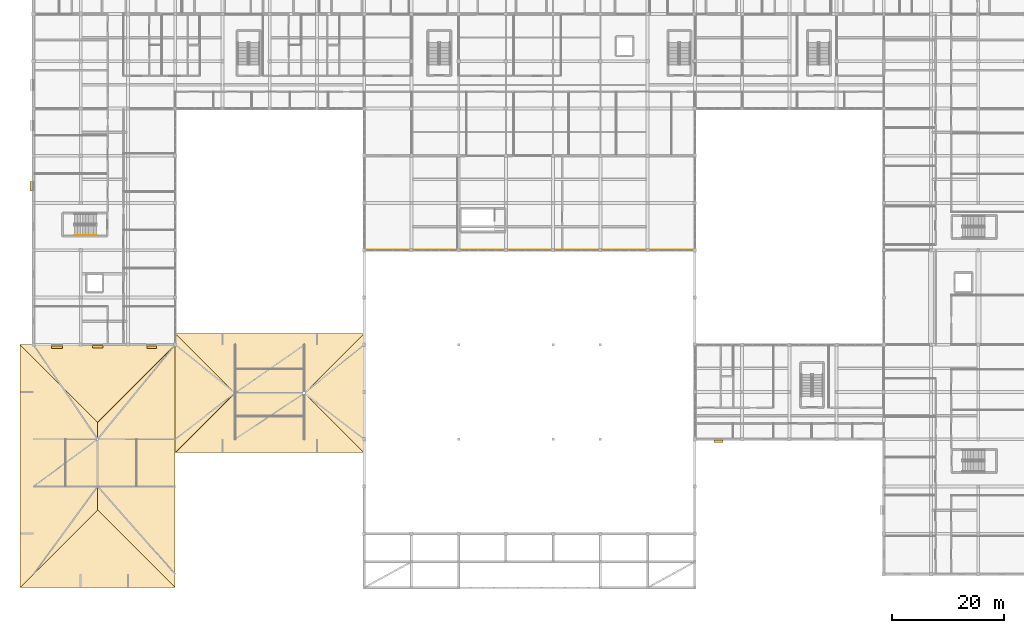
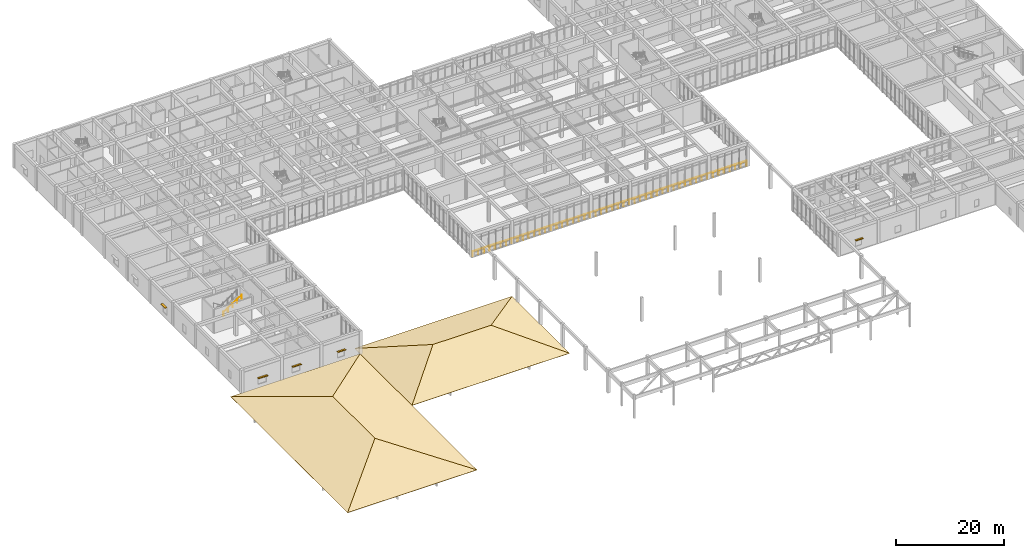
# One storey, part 74 of 89: 8 coverings, 5 shading devices, 2 railings, 2 elements without a shape of their own.
"""IFC4 building model written with IfcOpenShell, lengths in metres."""

import ifcopenshell
import ifcopenshell.guid

model = None  # the IFC model being written
_history = None  # IfcOwnerHistory: only IFC2X3 demands one
_inside = {}  # id of a spatial element -> (the spatial element, [elements in it])
_under = {}  # id of a project, library or spatial element -> (it, [spatial elements below it])
_declared = {}  # id of a project -> (the project, [libraries it declares])
_typed = {}  # id of a type object -> (the type object, [elements of that type])
_made_of = {}  # id of a material, layer set ... -> (it, [elements and type objects made of it])


def new_model(schema):
    """Start an empty IFC model of exactly this schema.

    Asked for "IFC4X3", IfcOpenShell would pick the latest addendum, in which some entities
    have other attributes; the version numbers below select the first issue.
    IFC2X3 requires an IfcOwnerHistory on every rooted entity: one is made here for all.
    """
    global model, _history
    if schema == "IFC4X3":
        model = ifcopenshell.file(schema_version=(4, 3, 0, 0))
    else:
        model = ifcopenshell.file(schema=schema)
    _inside.clear()
    _under.clear()
    _declared.clear()
    _typed.clear()
    _made_of.clear()
    _history = None
    if model.schema == "IFC2X3":
        org = make("IfcOrganization", Name="unknown")
        user = make(
            "IfcPersonAndOrganization",
            ThePerson=make("IfcPerson", FamilyName="unknown"),
            TheOrganization=org,
        )
        app = make(
            "IfcApplication",
            ApplicationDeveloper=org,
            Version="unknown",
            ApplicationFullName="unknown",
            ApplicationIdentifier="unknown",
        )
        _history = make(
            "IfcOwnerHistory",
            OwningUser=user,
            OwningApplication=app,
            ChangeAction="ADDED",
            CreationDate=0,
        )
    return model


def make(cls, **values):
    """One entity of the class cls with the attributes given. An attribute that is None is left unset."""
    return model.create_entity(
        cls, **{name: value for name, value in values.items() if value is not None}
    )


def rooted(cls, **values):
    """An entity with a GlobalId (a new one), such as an element, a storey or a relation."""
    return make(cls, GlobalId=ifcopenshell.guid.new(), OwnerHistory=_history, **values)


def si_unit(unit_type, name, prefix=None):
    """IfcSIUnit, for example si_unit("LENGTHUNIT", "METRE", prefix="MILLI")."""
    return make("IfcSIUnit", UnitType=unit_type, Prefix=prefix, Name=name)


def assignment(units):
    """IfcUnitAssignment: the units of a project."""
    return None if units is None else make("IfcUnitAssignment", Units=units)


def point(xyz):
    """IfcCartesianPoint."""
    return None if xyz is None else make("IfcCartesianPoint", Coordinates=xyz)


def direction(xyz):
    """IfcDirection."""
    return None if xyz is None else make("IfcDirection", DirectionRatios=xyz)


def frame(location, z_axis=None, x_axis=None):
    """IfcAxis2Placement3D, a coordinate frame: its origin and axes. An axis left out is left unset."""
    return make(
        "IfcAxis2Placement3D",
        Location=point(location),
        Axis=direction(z_axis),
        RefDirection=direction(x_axis),
    )


def frame_2d(location, x_axis=None):
    """IfcAxis2Placement2D, a coordinate frame in the plane: its origin and x axis."""
    return make(
        "IfcAxis2Placement2D", Location=point(location), RefDirection=direction(x_axis)
    )


def origin():
    """The frame at (0, 0, 0) with its axes left unset."""
    return frame((0.0, 0.0, 0.0))


def origin_2d():
    """The frame at (0, 0) in the plane with its x axis left unset."""
    return frame_2d((0.0, 0.0))


def place(relative_to, where):
    """IfcLocalPlacement: puts the frame where relative to a parent placement (None: the world)."""
    return make(
        "IfcLocalPlacement", PlacementRelTo=relative_to, RelativePlacement=where
    )


def context(
    kind, dimensions, precision=None, world=None, true_north=None, identifier=None
):
    """IfcGeometricRepresentationContext, for example the 3D "Model" context."""
    return make(
        "IfcGeometricRepresentationContext",
        ContextIdentifier=identifier,
        ContextType=kind,
        CoordinateSpaceDimension=dimensions,
        Precision=precision,
        WorldCoordinateSystem=world,
        TrueNorth=true_north,
    )


def subcontext(parent, identifier, kind, view, scale=None):
    """IfcGeometricRepresentationSubContext, for example "Body" below "Model"."""
    return make(
        "IfcGeometricRepresentationSubContext",
        ContextIdentifier=identifier,
        ContextType=kind,
        ParentContext=parent,
        TargetScale=scale,
        TargetView=view,
    )


def project(units=None, contexts=None):
    """IfcProject with its units and contexts."""
    return rooted(
        "IfcProject",
        Name="project",
        RepresentationContexts=contexts,
        UnitsInContext=assignment(units),
    )


def spatial(cls, under=None, at=None, **own):
    """A site, building, storey or space (cls), placed at a placement, below another one or the project."""
    s = rooted(cls, ObjectPlacement=at, **own)
    if under is not None:
        _under.setdefault(under.id(), (under, []))[1].append(s)
    return s


def polyline(points):
    """IfcPolyline through the points."""
    return make("IfcPolyline", Points=[point(p) for p in points])


def profile(cls, at=None, kind="AREA", **sizes):
    """A parametric profile (cls). Its sizes go by their IFC names, for example OverallWidth=200.0."""
    return make(cls, ProfileType=kind, Position=at, **sizes)


def rectangle(**sizes):
    """IfcRectangleProfileDef."""
    return profile("IfcRectangleProfileDef", **sizes)


def circle(**sizes):
    """IfcCircleProfileDef."""
    return profile("IfcCircleProfileDef", **sizes)


def outline(outer, holes=None, kind="AREA"):
    """IfcArbitraryClosedProfileDef: a profile drawn as a closed curve; with holes, ...WithVoids."""
    if holes is None:
        return make("IfcArbitraryClosedProfileDef", ProfileType=kind, OuterCurve=outer)
    return make(
        "IfcArbitraryProfileDefWithVoids",
        ProfileType=kind,
        OuterCurve=outer,
        InnerCurves=holes,
    )


def extrude(swept, where, along, depth):
    """IfcExtrudedAreaSolid: the profile swept, set in the frame where, extruded along a direction by depth."""
    return make(
        "IfcExtrudedAreaSolid",
        SweptArea=swept,
        Position=where,
        ExtrudedDirection=direction(along),
        Depth=depth,
    )


def shape(context_of_items, identifier, shape_type, items):
    """IfcShapeRepresentation: the items that make up one representation, for example the "Body"."""
    return make(
        "IfcShapeRepresentation",
        ContextOfItems=context_of_items,
        RepresentationIdentifier=identifier,
        RepresentationType=shape_type,
        Items=items,
    )


def material(Name=None, Category=None):
    """IfcMaterial."""
    return make("IfcMaterial", Name=Name, Category=Category)


def layer(
    of_material, thickness, ventilated=None, Name=None, Category=None, Priority=None
):
    """IfcMaterialLayer: one layer of a wall or slab, of a material (None: an air gap)."""
    return make(
        "IfcMaterialLayer",
        Material=of_material,
        LayerThickness=thickness,
        IsVentilated=ventilated,
        Name=Name,
        Category=Category,
        Priority=Priority,
    )


def layer_set(layers, Name=None):
    """IfcMaterialLayerSet."""
    return make("IfcMaterialLayerSet", MaterialLayers=layers, LayerSetName=Name)


def made_of(thing, what):
    """Note that an element or type object is made of a material, layer set ...; save() writes the relation."""
    if what is not None:
        _made_of.setdefault(what.id(), (what, []))[1].append(thing)
    return thing


def type_object(cls, material=None, **own):
    """A type object (cls), such as IfcWallType, which elements share."""
    return made_of(rooted(cls, **own), material)


def element(
    cls,
    number,
    at=None,
    inside=None,
    cuts=None,
    type_object=None,
    material=None,
    context=None,
    identifier="Body",
    shape_type=None,
    held_by="IfcProductDefinitionShape",
    body=None,
    shapes=None,
    **own,
):
    """One element of the class cls, such as IfcWall. Its Tag is "e" and its number.

    at: its placement. inside: the storey or other place that contains it. cuts: it is an
    opening in that element (IfcRelVoidsElement). A single representation is given by context,
    identifier, shape_type and body (its items); several are given by shapes. held_by: the class
    of the entity that holds the representations. save() writes the other relations.
    """
    e = rooted(cls, Tag="e%d" % number, ObjectPlacement=at, **own)
    if body is not None:
        shapes = [shape(context, identifier, shape_type, body)]
    if shapes is not None:
        e.Representation = make(held_by, Representations=shapes)
    if inside is not None:
        _inside.setdefault(inside.id(), (inside, []))[1].append(e)
    if cuts is not None:
        rooted(
            "IfcRelVoidsElement", RelatingBuildingElement=cuts, RelatedOpeningElement=e
        )
    if type_object is not None:
        _typed.setdefault(type_object.id(), (type_object, []))[1].append(e)
    return made_of(e, material)


def aggregate(whole, parts):
    """IfcRelAggregates: a whole, such as a stair, and the parts it consists of."""
    return rooted("IfcRelAggregates", RelatingObject=whole, RelatedObjects=parts)


def save(model, path):
    """Write the relations noted so far, then the file.

    IfcRelAggregates (storeys below a building ...), IfcRelContainedInSpatialStructure (elements
    in a storey), IfcRelDefinesByType, IfcRelAssociatesMaterial and IfcRelDeclares: one each for
    every whole, place, type object, material and project.
    """
    for whole, parts in _under.values():
        aggregate(whole, parts)
    for where, things in _inside.values():
        rooted(
            "IfcRelContainedInSpatialStructure",
            RelatedElements=things,
            RelatingStructure=where,
        )
    for kind, things in _typed.values():
        rooted("IfcRelDefinesByType", RelatedObjects=things, RelatingType=kind)
    for what, things in _made_of.values():
        rooted("IfcRelAssociatesMaterial", RelatedObjects=things, RelatingMaterial=what)
    for by, libraries in _declared.values():
        rooted("IfcRelDeclares", RelatingContext=by, RelatedDefinitions=libraries)
    model.write(path)


model = new_model("IFC4")

# Units and contexts
model_context = context("Model", 3, precision=1e-05, world=origin(), true_north=direction((0.0, 1.0)))
body_context = subcontext(model_context, "Body", "Model", "MODEL_VIEW")
ifc_project = project(units=[si_unit("LENGTHUNIT", "METRE"), si_unit("AREAUNIT", "SQUARE_METRE"), si_unit("VOLUMEUNIT", "CUBIC_METRE"), si_unit("PLANEANGLEUNIT", "RADIAN"), si_unit("MASSUNIT", "GRAM", prefix="KILO")], contexts=[model_context])

# Site, building, storey
site_placement = place(None, origin())
site = spatial("IfcSite", under=ifc_project, at=site_placement, CompositionType="ELEMENT")
building_placement = place(site_placement, origin())
building = spatial("IfcBuilding", under=site, at=building_placement, Name="Varncliffe General Hospital", CompositionType="ELEMENT")
storey_placement = place(building_placement, frame((0.0, 0.0, 10.800048828125)))
storey = spatial("IfcBuildingStorey", under=building, at=storey_placement, Name="L02", CompositionType="ELEMENT", Elevation=10.800048828125)

# Shading devices
ifc_material_1 = material(Name="Dark bronze extruded aluminium solar jalousie louvres", Category="aluminium")
ifc_layer_1 = layer(ifc_material_1, 0.080078125)
ifc_layer_set_1 = layer_set([ifc_layer_1], Name="Dark bronze extruded aluminium solar jalousie louvres")
shading_device_type = type_object("IfcShadingDeviceType", Name="Bronze Solar Jalousie Louvre Hood SHD18", PredefinedType="JALOUSIE", material=ifc_layer_set_1)
shading_device_1_placement = place(storey_placement, frame((121.800048828125, 23.6298828125, 2.4599609375), z_axis=(0.0, 0.0, 1.0), x_axis=(-1.0, 0.0, 0.0)))
element("IfcShadingDevice", 1, at=shading_device_1_placement, inside=storey, type_object=shading_device_type, Name="L02 Bronze Window Sun-Shading Louvre 58", PredefinedType="JALOUSIE", context=body_context, shape_type="SweptSolid", body=[
    extrude(rectangle(XDim=1.550048828125, YDim=0.449951171875, at=origin_2d()), origin(), (0.0, 0.0, 1.0), 0.080078125),
])
shading_device_2_placement = place(storey_placement, frame((21.0, 40.385009765625, 2.4599609375), z_axis=(0.0, 0.0, 1.0), x_axis=(-1.0, 0.0, 0.0)))
element("IfcShadingDevice", 2, at=shading_device_2_placement, inside=storey, type_object=shading_device_type, Name="L02 Bronze Window Sun-Shading Louvre 59", PredefinedType="JALOUSIE", context=body_context, shape_type="SweptSolid", body=[
    extrude(rectangle(XDim=1.699951171875, YDim=0.449951171875, at=origin_2d()), origin(), (0.0, 0.0, 1.0), 0.080078125),
])
shading_device_3_placement = place(storey_placement, frame((11.444091796875, 40.39990234375, 2.4599609375), z_axis=(0.0, 0.0, 1.0), x_axis=(-1.0, 0.0, 0.0)))
element("IfcShadingDevice", 3, at=shading_device_3_placement, inside=storey, type_object=shading_device_type, Name="L02 Bronze Window Sun-Shading Louvre 60", PredefinedType="JALOUSIE", context=body_context, shape_type="SweptSolid", body=[
    extrude(rectangle(XDim=1.85009765625, YDim=0.449951171875, at=origin_2d()), origin(), (0.0, 0.0, 1.0), 0.080078125),
])
shading_device_4_placement = place(storey_placement, frame((4.199951171875, 40.375, 2.4599609375), z_axis=(0.0, 0.0, 1.0), x_axis=(-1.0, 0.0, 0.0)))
element("IfcShadingDevice", 4, at=shading_device_4_placement, inside=storey, type_object=shading_device_type, Name="L02 Bronze Window Sun-Shading Louvre 61", PredefinedType="JALOUSIE", context=body_context, shape_type="SweptSolid", body=[
    extrude(rectangle(XDim=2.0, YDim=0.449951171875, at=origin_2d()), origin(), (0.0, 0.0, 1.0), 0.080078125),
])
shading_device_5_placement = place(storey_placement, frame((-0.3798828125, 69.0, 2.659912109375), z_axis=(0.0, 0.0, 1.0), x_axis=(0.0, 1.0, 0.0)))
element("IfcShadingDevice", 5, at=shading_device_5_placement, inside=storey, type_object=shading_device_type, Name="L02 Bronze Window Sun-Shading Louvre 62", PredefinedType="JALOUSIE", context=body_context, shape_type="SweptSolid", body=[
    extrude(rectangle(XDim=1.64990234375, YDim=0.449951171875, at=origin_2d()), origin(), (0.0, 0.0, 1.0), 0.080078125),
])

# Railings
ifc_material_2 = material(Name="Powder-coated wrought-iron and bronze balustrade", Category="steel")
railing_type_1 = type_object("IfcRailingType", Name="Spanish Colonial Wrought-Iron Terrace Balustrade BL44", PredefinedType="BALUSTRADE", material=ifc_material_2)
railing_1_placement = place(storey_placement, frame((59.0, 57.679931640625, 0.0)))
element("IfcRailing", 6, at=railing_1_placement, inside=storey, type_object=railing_type_1, Name="L02 Winter-Garden Concourse Overlook Balustrade", PredefinedType="BALUSTRADE", context=body_context, shape_type="SweptSolid", body=[
    extrude(circle(Radius=0.02392578125, at=origin_2d()), frame((0.0, 0.0, 1.076171875), z_axis=(1.0, 0.0, 0.0), x_axis=(0.0, 1.0, 0.0)), (0.0, 0.0, 1.0), 58.39990234375),
    extrude(circle(Radius=0.02099609375, at=origin_2d()), origin(), (0.0, 0.0, 1.0), 1.052001953125),
    extrude(circle(Radius=0.02099609375, at=origin_2d()), frame((1.19189453125, 0.0, 0.0)), (0.0, 0.0, 1.0), 1.052001953125),
    extrude(circle(Radius=0.02099609375, at=origin_2d()), frame((2.3837890625, 0.0, 0.0)), (0.0, 0.0, 1.0), 1.052001953125),
    extrude(circle(Radius=0.02099609375, at=origin_2d()), frame((3.575439453125, 0.0, 0.0)), (0.0, 0.0, 1.0), 1.052001953125),
    extrude(circle(Radius=0.02099609375, at=origin_2d()), frame((4.767333984375, 0.0, 0.0)), (0.0, 0.0, 1.0), 1.052001953125),
    extrude(circle(Radius=0.02099609375, at=origin_2d()), frame((5.959228515625, 0.0, 0.0)), (0.0, 0.0, 1.0), 1.052001953125),
    extrude(circle(Radius=0.02099609375, at=origin_2d()), frame((7.151123046875, 0.0, 0.0)), (0.0, 0.0, 1.0), 1.052001953125),
    extrude(circle(Radius=0.02099609375, at=origin_2d()), frame((8.3427734375, 0.0, 0.0)), (0.0, 0.0, 1.0), 1.052001953125),
    extrude(circle(Radius=0.02099609375, at=origin_2d()), frame((9.53466796875, 0.0, 0.0)), (0.0, 0.0, 1.0), 1.052001953125),
    extrude(circle(Radius=0.02099609375, at=origin_2d()), frame((10.7265625, 0.0, 0.0)), (0.0, 0.0, 1.0), 1.052001953125),
    extrude(circle(Radius=0.02099609375, at=origin_2d()), frame((11.91845703125, 0.0, 0.0)), (0.0, 0.0, 1.0), 1.052001953125),
    extrude(circle(Radius=0.02099609375, at=origin_2d()), frame((13.110107421875, 0.0, 0.0)), (0.0, 0.0, 1.0), 1.052001953125),
    extrude(circle(Radius=0.02099609375, at=origin_2d()), frame((14.302001953125, 0.0, 0.0)), (0.0, 0.0, 1.0), 1.052001953125),
    extrude(circle(Radius=0.02099609375, at=origin_2d()), frame((15.493896484375, 0.0, 0.0)), (0.0, 0.0, 1.0), 1.052001953125),
    extrude(circle(Radius=0.02099609375, at=origin_2d()), frame((16.685791015625, 0.0, 0.0)), (0.0, 0.0, 1.0), 1.052001953125),
    extrude(circle(Radius=0.02099609375, at=origin_2d()), frame((17.87744140625, 0.0, 0.0)), (0.0, 0.0, 1.0), 1.052001953125),
    extrude(circle(Radius=0.02099609375, at=origin_2d()), frame((19.0693359375, 0.0, 0.0)), (0.0, 0.0, 1.0), 1.052001953125),
    extrude(circle(Radius=0.02099609375, at=origin_2d()), frame((20.26123046875, 0.0, 0.0)), (0.0, 0.0, 1.0), 1.052001953125),
    extrude(circle(Radius=0.02099609375, at=origin_2d()), frame((21.453125, 0.0, 0.0)), (0.0, 0.0, 1.0), 1.052001953125),
    extrude(circle(Radius=0.02099609375, at=origin_2d()), frame((22.644775390625, 0.0, 0.0)), (0.0, 0.0, 1.0), 1.052001953125),
    extrude(circle(Radius=0.02099609375, at=origin_2d()), frame((23.836669921875, 0.0, 0.0)), (0.0, 0.0, 1.0), 1.052001953125),
    extrude(circle(Radius=0.02099609375, at=origin_2d()), frame((25.028564453125, 0.0, 0.0)), (0.0, 0.0, 1.0), 1.052001953125),
    extrude(circle(Radius=0.02099609375, at=origin_2d()), frame((26.220458984375, 0.0, 0.0)), (0.0, 0.0, 1.0), 1.052001953125),
    extrude(circle(Radius=0.02099609375, at=origin_2d()), frame((27.412109375, 0.0, 0.0)), (0.0, 0.0, 1.0), 1.052001953125),
    extrude(circle(Radius=0.02099609375, at=origin_2d()), frame((28.60400390625, 0.0, 0.0)), (0.0, 0.0, 1.0), 1.052001953125),
    extrude(circle(Radius=0.02099609375, at=origin_2d()), frame((29.7958984375, 0.0, 0.0)), (0.0, 0.0, 1.0), 1.052001953125),
    extrude(circle(Radius=0.02099609375, at=origin_2d()), frame((30.98779296875, 0.0, 0.0)), (0.0, 0.0, 1.0), 1.052001953125),
    extrude(circle(Radius=0.02099609375, at=origin_2d()), frame((32.179443359375, 0.0, 0.0)), (0.0, 0.0, 1.0), 1.052001953125),
    extrude(circle(Radius=0.02099609375, at=origin_2d()), frame((33.371337890625, 0.0, 0.0)), (0.0, 0.0, 1.0), 1.052001953125),
    extrude(circle(Radius=0.02099609375, at=origin_2d()), frame((34.563232421875, 0.0, 0.0)), (0.0, 0.0, 1.0), 1.052001953125),
    extrude(circle(Radius=0.02099609375, at=origin_2d()), frame((35.755126953125, 0.0, 0.0)), (0.0, 0.0, 1.0), 1.052001953125),
    extrude(circle(Radius=0.02099609375, at=origin_2d()), frame((36.94677734375, 0.0, 0.0)), (0.0, 0.0, 1.0), 1.052001953125),
    extrude(circle(Radius=0.02099609375, at=origin_2d()), frame((38.138671875, 0.0, 0.0)), (0.0, 0.0, 1.0), 1.052001953125),
    extrude(circle(Radius=0.02099609375, at=origin_2d()), frame((39.33056640625, 0.0, 0.0)), (0.0, 0.0, 1.0), 1.052001953125),
    extrude(circle(Radius=0.02099609375, at=origin_2d()), frame((40.5224609375, 0.0, 0.0)), (0.0, 0.0, 1.0), 1.052001953125),
    extrude(circle(Radius=0.02099609375, at=origin_2d()), frame((41.714111328125, 0.0, 0.0)), (0.0, 0.0, 1.0), 1.052001953125),
    extrude(circle(Radius=0.02099609375, at=origin_2d()), frame((42.906005859375, 0.0, 0.0)), (0.0, 0.0, 1.0), 1.052001953125),
    extrude(circle(Radius=0.02099609375, at=origin_2d()), frame((44.097900390625, 0.0, 0.0)), (0.0, 0.0, 1.0), 1.052001953125),
    extrude(circle(Radius=0.02099609375, at=origin_2d()), frame((45.289794921875, 0.0, 0.0)), (0.0, 0.0, 1.0), 1.052001953125),
    extrude(circle(Radius=0.02099609375, at=origin_2d()), frame((46.4814453125, 0.0, 0.0)), (0.0, 0.0, 1.0), 1.052001953125),
    extrude(circle(Radius=0.02099609375, at=origin_2d()), frame((47.67333984375, 0.0, 0.0)), (0.0, 0.0, 1.0), 1.052001953125),
    extrude(circle(Radius=0.02099609375, at=origin_2d()), frame((48.865234375, 0.0, 0.0)), (0.0, 0.0, 1.0), 1.052001953125),
    extrude(circle(Radius=0.02099609375, at=origin_2d()), frame((50.05712890625, 0.0, 0.0)), (0.0, 0.0, 1.0), 1.052001953125),
    extrude(circle(Radius=0.02099609375, at=origin_2d()), frame((51.248779296875, 0.0, 0.0)), (0.0, 0.0, 1.0), 1.052001953125),
    extrude(circle(Radius=0.02099609375, at=origin_2d()), frame((52.440673828125, 0.0, 0.0)), (0.0, 0.0, 1.0), 1.052001953125),
    extrude(circle(Radius=0.02099609375, at=origin_2d()), frame((53.632568359375, 0.0, 0.0)), (0.0, 0.0, 1.0), 1.052001953125),
    extrude(circle(Radius=0.02099609375, at=origin_2d()), frame((54.824462890625, 0.0, 0.0)), (0.0, 0.0, 1.0), 1.052001953125),
    extrude(circle(Radius=0.02099609375, at=origin_2d()), frame((56.01611328125, 0.0, 0.0)), (0.0, 0.0, 1.0), 1.052001953125),
    extrude(circle(Radius=0.02099609375, at=origin_2d()), frame((57.2080078125, 0.0, 0.0)), (0.0, 0.0, 1.0), 1.052001953125),
    extrude(circle(Radius=0.02099609375, at=origin_2d()), frame((58.39990234375, 0.0, 0.0)), (0.0, 0.0, 1.0), 1.052001953125),
])
ifc_material_3 = material(Name="Powder-coated hospital steel guardrail and handrail", Category="steel")
railing_type_2 = type_object("IfcRailingType", Name="Stair and Ramp Handrail HR46", PredefinedType="HANDRAIL", material=ifc_material_3)
railing_2_placement = place(storey_placement, frame((7.280029296875, 60.25, 3.06396484375)))
element("IfcRailing", 7, at=railing_2_placement, inside=storey, type_object=railing_type_2, Name="L02 ST05 stair handrail 2", PredefinedType="HANDRAIL", context=body_context, shape_type="SweptSolid", body=[
    extrude(circle(Radius=0.02392578125, at=origin_2d()), frame((0.0, 0.0, 0.8759765625), z_axis=(0.841171666519, 0.0, 0.540768182723), x_axis=(0.0, 1.0, 0.0)), (0.0, 0.0, 1.0), 4.66015625),
    extrude(circle(Radius=0.02099609375, at=origin_2d()), origin(), (0.0, 0.0, 1.0), 0.851806640625),
    extrude(circle(Radius=0.02099609375, at=origin_2d()), frame((0.97998046875, 0.0, 0.6298828125)), (0.0, 0.0, 1.0), 0.851806640625),
    extrude(circle(Radius=0.02099609375, at=origin_2d()), frame((1.9599609375, 0.0, 1.260009765625)), (0.0, 0.0, 1.0), 0.851806640625),
    extrude(circle(Radius=0.02099609375, at=origin_2d()), frame((2.93994140625, 0.0, 1.89013671875)), (0.0, 0.0, 1.0), 0.851806640625),
    extrude(circle(Radius=0.02099609375, at=origin_2d()), frame((3.919921875, 0.0, 2.52001953125)), (0.0, 0.0, 1.0), 0.851806640625),
])

# Roof, coverings
ifc_material_4 = material(Name="Terracotta clay roof tile over waterproof membrane", Category="masonry")
roof_type = type_object("IfcRoofType", Name="Hipped Clay-Tile Roof Assembly HR20", PredefinedType="HIP_ROOF", material=ifc_material_4)
roof_1_placement = place(storey_placement, origin())
roof_1 = element("IfcRoof", 8, at=roof_1_placement, inside=storey, type_object=roof_type, Name="L02 Hipped Roof RF-V2-W", PredefinedType="HIP_ROOF")
ifc_layer_2 = layer(ifc_material_4, 0.044921875)
ifc_layer_set_2 = layer_set([ifc_layer_2], Name="Terracotta clay roof tile over waterproof membrane")
covering_type = type_object("IfcCoveringType", Name="Terracotta Clay Tile Roofing RFG24", PredefinedType="ROOFING", material=ifc_layer_set_2)
covering_1_placement = place(storey_placement, frame((-2.39990234375, 40.800048828125, 0.044921875), z_axis=(-0.252431653251, 0.0, 0.967614727274), x_axis=(0.0, -1.0, 0.0)))
covering_1 = element("IfcCovering", 9, at=covering_1_placement, type_object=covering_type, Name="L02 RF-V2-W Terracotta Clay Tile Slope W", PredefinedType="ROOFING", context=body_context, shape_type="SweptSolid", body=[
    extrude(outline(polyline([(0.0, 0.0), (43.199951171875, 0.0), (29.400146484375, 14.261672852357947), (13.800048828125, 14.261672852357947), (0.0, 0.0)])), origin(), (0.0, 0.0, -1.0), 0.044921875),
])
covering_2_placement = place(storey_placement, frame((25.199951171875, -2.39990234375, 0.044921875), z_axis=(0.252427471975, 0.0, 0.967615818077), x_axis=(0.0, 1.0, 0.0)))
covering_2 = element("IfcCovering", 10, at=covering_2_placement, type_object=covering_type, Name="L02 RF-V2-W Terracotta Clay Tile Slope E", PredefinedType="ROOFING", context=body_context, shape_type="SweptSolid", body=[
    extrude(outline(polyline([(0.0, 0.0), (43.199951171875, 0.0), (29.39990234375, 14.261909086555383), (13.7998046875, 14.261909086555383), (0.0, 0.0)])), origin(), (0.0, 0.0, -1.0), 0.044921875),
])
covering_3_placement = place(storey_placement, frame((-2.39990234375, -2.39990234375, 0.044921875), z_axis=(0.0, -0.252431653251, 0.967614727274), x_axis=(1.0, 0.0, 0.0)))
covering_3 = element("IfcCovering", 11, at=covering_3_placement, type_object=covering_type, Name="L02 RF-V2-W Terracotta Clay Tile Slope S", PredefinedType="ROOFING", context=body_context, shape_type="SweptSolid", body=[
    extrude(outline(polyline([(0.0, 0.0), (27.599853515625, 0.0), (13.7998046875, 14.261672852357947), (0.0, 0.0)])), origin(), (0.0, 0.0, -1.0), 0.044921875),
])
covering_4_placement = place(storey_placement, frame((25.199951171875, 40.800048828125, 0.044921875), z_axis=(0.0, 0.252427471975, 0.967615818077), x_axis=(-1.0, 0.0, 0.0)))
covering_4 = element("IfcCovering", 12, at=covering_4_placement, type_object=covering_type, Name="L02 RF-V2-W Terracotta Clay Tile Slope N", PredefinedType="ROOFING", context=body_context, shape_type="SweptSolid", body=[
    extrude(outline(polyline([(0.0, 0.0), (27.599853515625, 0.0), (13.800048828125, 14.26190908655538), (0.0, 0.0)])), origin(), (0.0, 0.0, -1.0), 0.044921875),
])
aggregate(roof_1, [covering_1, covering_2, covering_3, covering_4])

roof_2_placement = place(storey_placement, origin())
roof_2 = element("IfcRoof", 13, at=roof_2_placement, inside=storey, type_object=roof_type, Name="L02 Hipped Roof RF-V2-S", PredefinedType="HIP_ROOF")
covering_5_placement = place(storey_placement, frame((25.199951171875, 21.60009765625, 0.044921875), z_axis=(0.0, -0.321594232243, 0.946877579092), x_axis=(1.0, 0.0, 0.0)))
covering_5 = element("IfcCovering", 14, at=covering_5_placement, type_object=covering_type, Name="L02 RF-V2-S Terracotta Clay Tile Slope S", PredefinedType="ROOFING", context=body_context, shape_type="SweptSolid", body=[
    extrude(outline(polyline([(0.0, 0.0), (33.60009765625, 0.0), (23.0, 11.194534277371453), (10.60009765625, 11.194534277371453), (0.0, 0.0)])), origin(), (0.0, 0.0, -1.0), 0.044921875),
])
covering_6_placement = place(storey_placement, frame((58.800048828125, 42.800048828125, 0.044921875), z_axis=(0.0, 0.321587591332, 0.946879834563), x_axis=(-1.0, 0.0, 0.0)))
covering_6 = element("IfcCovering", 15, at=covering_6_placement, type_object=covering_type, Name="L02 RF-V2-S Terracotta Clay Tile Slope N", PredefinedType="ROOFING", context=body_context, shape_type="SweptSolid", body=[
    extrude(outline(polyline([(0.0, 0.0), (33.60009765625, 0.0), (23.0, 11.194765448930742), (10.60009765625, 11.194765448930742), (0.0, 0.0)])), origin(), (0.0, 0.0, -1.0), 0.044921875),
])
covering_7_placement = place(storey_placement, frame((25.199951171875, 42.800048828125, 0.044921875), z_axis=(-0.321587591332, 0.0, 0.946879834563), x_axis=(0.0, -1.0, 0.0)))
covering_7 = element("IfcCovering", 16, at=covering_7_placement, type_object=covering_type, Name="L02 RF-V2-S Terracotta Clay Tile Slope W", PredefinedType="ROOFING", context=body_context, shape_type="SweptSolid", body=[
    extrude(outline(polyline([(0.0, 0.0), (21.199951171875, 0.0), (10.60009765625, 11.194765448930742), (0.0, 0.0)])), origin(), (0.0, 0.0, -1.0), 0.044921875),
])
covering_8_placement = place(storey_placement, frame((58.800048828125, 21.60009765625, 0.044921875), z_axis=(0.321587591332, 0.0, 0.946879834563), x_axis=(0.0, 1.0, 0.0)))
covering_8 = element("IfcCovering", 17, at=covering_8_placement, type_object=covering_type, Name="L02 RF-V2-S Terracotta Clay Tile Slope E", PredefinedType="ROOFING", context=body_context, shape_type="SweptSolid", body=[
    extrude(outline(polyline([(0.0, 0.0), (21.199951171875, 0.0), (10.599853515625, 11.194765448930742), (0.0, 0.0)])), origin(), (0.0, 0.0, -1.0), 0.044921875),
])
aggregate(roof_2, [covering_5, covering_6, covering_7, covering_8])

save(model, "model.ifc")
